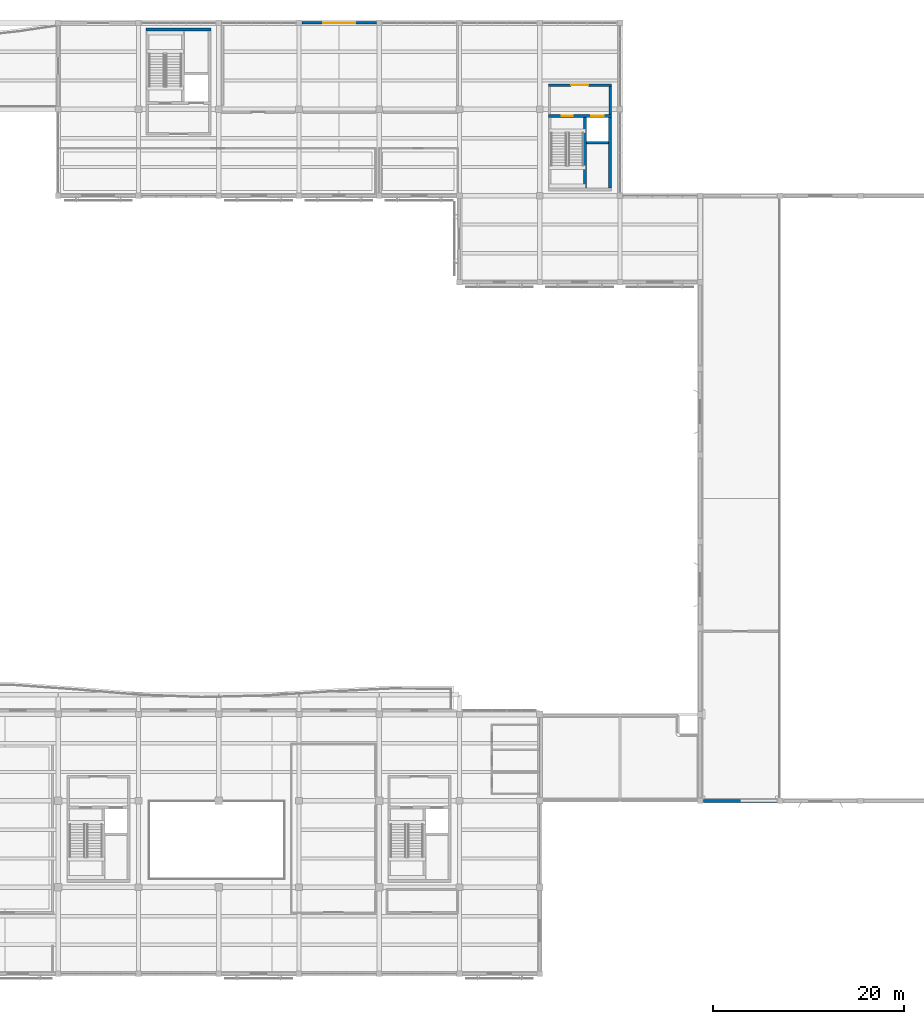
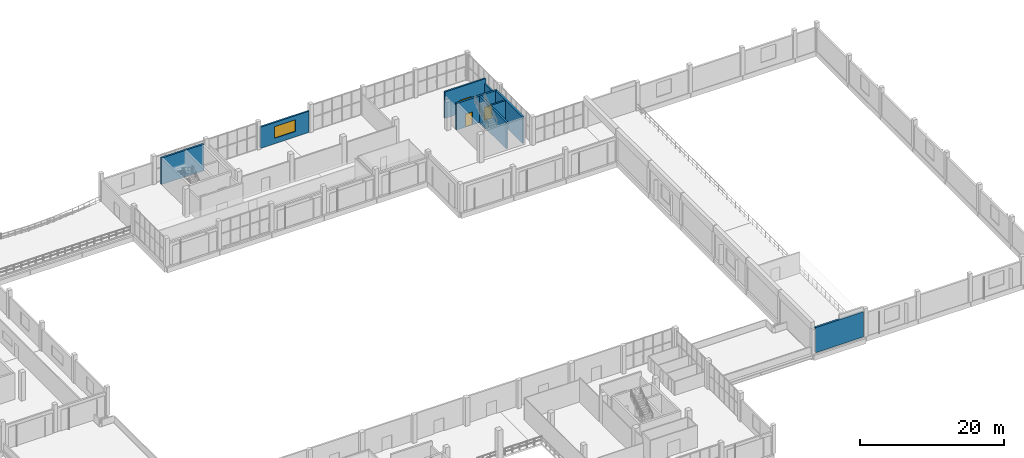
# One storey, part 61 of 80: 9 walls, 3 doors, 1 window, 4 openings.
"""IFC4 building model written with IfcOpenShell, lengths in metres."""

from ifc_helpers import new_model, si_unit, direction, frame, frame_2d, origin, place, context, subcontext, project, spatial, rectangle, extrude, material, layer, layer_set, type_object, element, fill, save


model = new_model("IFC4")

# Units and contexts
model_context = context("Model", 3, precision=1e-05, world=origin(), true_north=direction((0.0, 1.0)))
body_context = subcontext(model_context, "Body", "Model", "MODEL_VIEW")
ifc_project = project(units=[si_unit("LENGTHUNIT", "METRE"), si_unit("AREAUNIT", "SQUARE_METRE"), si_unit("VOLUMEUNIT", "CUBIC_METRE"), si_unit("PLANEANGLEUNIT", "RADIAN"), si_unit("MASSUNIT", "GRAM", prefix="KILO")], contexts=[model_context])

# Site, building, storey
site_placement = place(None, origin())
site = spatial("IfcSite", under=ifc_project, at=site_placement, CompositionType="ELEMENT")
building_placement = place(site_placement, origin())
building = spatial("IfcBuilding", under=site, at=building_placement, Name="Khurvash Pelagic Aquarium", CompositionType="ELEMENT")
storey_placement = place(building_placement, frame((0.0, 0.0, 10.800048828125)))
storey = spatial("IfcBuildingStorey", under=building, at=storey_placement, Name="L02", CompositionType="ELEMENT", Elevation=10.800048828125)

# Wall, opening, window
ifc_material_1 = material(Name="Glass-fibre reinforced concrete C40/50", Category="concrete")
ifc_layer_1 = layer(ifc_material_1, 0.260009765625)
ifc_layer_set_1 = layer_set([ifc_layer_1], Name="Glass-fibre reinforced concrete C40/50")
wall_type_1 = type_object("IfcWallType", Name="EW-260", PredefinedType="STANDARD", material=ifc_layer_set_1)
wall_1_placement = place(storey_placement, frame((92.094970703125, 102.14990234375, 0.0), z_axis=(0.0, 0.0, 1.0), x_axis=(-1.0, 0.0, 0.0)))
wall_1 = element("IfcWall", 1, at=wall_1_placement, inside=storey, type_object=wall_type_1, Name="L02 Exterior Architectural Facade Wall EW-260 0080", PredefinedType="STANDARD", context=body_context, shape_type="SweptSolid", body=[
    extrude(rectangle(XDim=7.7900390625, YDim=0.260009765625, at=frame_2d((3.89501953125, 0.0))), origin(), (0.0, 0.0, 1.0), 3.6298828125),
])
opening_1_placement = place(wall_1_placement, frame((2.215087890625, 0.0, 0.949951171875)))
opening_1 = element("IfcOpeningElement", 2, at=opening_1_placement, cuts=wall_1, Name="Opening WN-42", PredefinedType="OPENING", context=body_context, shape_type="SweptSolid", body=[
    extrude(rectangle(XDim=3.360107421875, YDim=1.9599609375, at=frame_2d((1.68017578125, 0.97998046875))), frame((0.0, 0.14013671875, 0.0), z_axis=(0.0, -1.0, 0.0), x_axis=(1.0, 0.0, 0.0)), (0.0, 0.0, 1.0), 0.280029296875),
])
ifc_material_2 = material(Name="Thermally broken aluminium and low-E glass", Category="aluminium")
window_type = type_object("IfcWindowType", Name="WN-42", PartitioningType="SINGLE_PANEL", PredefinedType="WINDOW", material=ifc_material_2)
window_placement = place(opening_1_placement, origin())
window = element("IfcWindow", 3, at=window_placement, inside=storey, type_object=window_type, Name="L02 Facade Window WN-42 0043", OverallHeight=1.9599609375, OverallWidth=3.360107421875, PartitioningType="SINGLE_PANEL", PredefinedType="WINDOW", context=body_context, shape_type="SweptSolid", body=[
    extrude(rectangle(XDim=3.360107421875, YDim=1.9599609375, at=frame_2d((1.68017578125, 0.97998046875))), frame((0.0, 0.030029296875, 0.0), z_axis=(0.0, -1.0, 0.0), x_axis=(1.0, 0.0, 0.0)), (0.0, 0.0, 1.0), 0.06005859375),
])
fill(opening_1, window)

# Wall
ifc_material_3 = material(Name="Precast concrete C40/50", Category="concrete")
ifc_layer_2 = layer(ifc_material_3, 0.300048828125)
ifc_layer_set_2 = layer_set([ifc_layer_2], Name="Precast concrete C40/50")
wall_type_2 = type_object("IfcWallType", Name="EW-300", PredefinedType="STANDARD", material=ifc_layer_set_2)
wall_2_placement = place(storey_placement, frame((126.360107421875, 20.699951171875, 0.0), z_axis=(0.0, 0.0, 1.0), x_axis=(1.0, 0.0, 0.0)))
element("IfcWall", 4, at=wall_2_placement, inside=storey, type_object=wall_type_2, Name="L02 Ocean Tank Hall South Containment Wall EW-300 B1.1", PredefinedType="STANDARD", context=body_context, shape_type="SweptSolid", body=[
    extrude(rectangle(XDim=7.679931640625, YDim=0.300048828125, at=frame_2d((3.83984375, 0.0))), origin(), (0.0, 0.0, 1.0), 4.27001953125),
])

# Wall, opening, door
ifc_material_4 = material(Name="AAC blockwork", Category="masonry")
ifc_layer_3 = layer(ifc_material_4, 0.25)
ifc_layer_set_3 = layer_set([ifc_layer_3], Name="AAC blockwork")
wall_type_3 = type_object("IfcWallType", Name="PW-250", PredefinedType="PARTITIONING", material=ifc_layer_set_3)
wall_3_placement = place(storey_placement, frame((110.10009765625, 95.625, 0.0), z_axis=(0.0, 0.0, 1.0), x_axis=(1.0, 0.0, 0.0)))
wall_3 = element("IfcWall", 5, at=wall_3_placement, inside=storey, type_object=wall_type_3, Name="L02 Core C6 Lobby Front Fire Wall PW-250", PredefinedType="PARTITIONING", context=body_context, shape_type="SweptSolid", body=[
    extrude(rectangle(XDim=6.599853515625, YDim=0.25, at=frame_2d((3.2998046875, 0.0))), origin(), (0.0, 0.0, 1.0), 4.5),
])
opening_2_placement = place(wall_3_placement, frame((2.39990234375, 0.0, 0.0)))
opening_2 = element("IfcOpeningElement", 6, at=opening_2_placement, cuts=wall_3, Name="Opening FD-02", PredefinedType="OPENING", context=body_context, shape_type="SweptSolid", body=[
    extrude(rectangle(XDim=1.800048828125, YDim=2.25, at=frame_2d((0.89990234375, 1.125))), frame((0.0, 0.135009765625, 0.0), z_axis=(0.0, -1.0, 0.0), x_axis=(1.0, 0.0, 0.0)), (0.0, 0.0, 1.0), 0.27001953125),
])
ifc_material_5 = material(Name="Galvanised steel double fire door", Category="steel")
door_type_1 = type_object("IfcDoorType", Name="FD-02", OperationType="DOUBLE_DOOR_SINGLE_SWING", PredefinedType="DOOR", material=ifc_material_5)
door_1_placement = place(opening_2_placement, origin())
door_1 = element("IfcDoor", 7, at=door_1_placement, inside=storey, type_object=door_type_1, Name="DR-0171", OperationType="DOUBLE_DOOR_SINGLE_SWING", OverallHeight=2.25, OverallWidth=1.800048828125, PredefinedType="DOOR", context=body_context, shape_type="SweptSolid", body=[
    extrude(rectangle(XDim=1.800048828125, YDim=2.25, at=frame_2d((0.89990234375, 1.125))), frame((0.0, 0.02490234375, 0.0), z_axis=(0.0, -1.0, 0.0), x_axis=(1.0, 0.0, 0.0)), (0.0, 0.0, 1.0), 0.050048828125),
])
fill(opening_2, door_1)

# Walls
wall_4_placement = place(storey_placement, frame((116.574951171875, 92.550048828125, 0.0), z_axis=(0.0, 0.0, 1.0), x_axis=(0.0, 1.0, 0.0)))
element("IfcWall", 8, at=wall_4_placement, inside=storey, type_object=wall_type_3, Name="L02 Core C6 Lobby East Fire Wall PW-250", PredefinedType="PARTITIONING", context=body_context, shape_type="SweptSolid", body=[
    extrude(rectangle(XDim=2.949951171875, YDim=0.25, at=frame_2d((1.47509765625, 0.0))), origin(), (0.0, 0.0, 1.0), 3.72998046875),
])
ifc_material_6 = material(Name="Concrete C40/50", Category="concrete")
ifc_layer_4 = layer(ifc_material_6, 0.27490234375)
ifc_layer_set_4 = layer_set([ifc_layer_4], Name="Concrete C40/50")
wall_type_4 = type_object("IfcWallType", Name="SW-275", PredefinedType="SHEAR", material=ifc_layer_set_4)
wall_5_placement = place(storey_placement, frame((114.10009765625, 89.612060546875, 0.0), z_axis=(0.0, 0.0, 1.0), x_axis=(1.0, 0.0, 0.0)))
element("IfcWall", 9, at=wall_5_placement, inside=storey, type_object=wall_type_4, Name="L02 Lift PL-03 Shaft Rear Shear Wall SW-275", PredefinedType="SHEAR", context=body_context, shape_type="SweptSolid", body=[
    extrude(rectangle(XDim=2.2998046875, YDim=0.27490234375, at=frame_2d((1.14990234375, 0.0))), origin(), (0.0, 0.0, 1.0), 4.5),
])
ifc_layer_5 = layer(ifc_material_6, 0.300048828125)
ifc_layer_set_5 = layer_set([ifc_layer_5], Name="Concrete C40/50")
wall_type_5 = type_object("IfcWallType", Name="SW-300", PredefinedType="SHEAR", material=ifc_layer_set_5)
wall_6_placement = place(storey_placement, frame((68.0, 101.449951171875, 0.0), z_axis=(0.0, 0.0, 1.0), x_axis=(1.0, 0.0, 0.0)))
element("IfcWall", 10, at=wall_6_placement, inside=storey, type_object=wall_type_5, Name="L02 Core C4 North Shear Wall SW-300", PredefinedType="SHEAR", context=body_context, shape_type="SweptSolid", body=[
    extrude(rectangle(XDim=6.800048828125, YDim=0.300048828125, at=frame_2d((3.39990234375, 0.0))), origin(), (0.0, 0.0, 1.0), 4.5),
])

# Wall, openings, doors
wall_7_placement = place(storey_placement, frame((110.10009765625, 92.39990234375, 0.0), z_axis=(0.0, 0.0, 1.0), x_axis=(1.0, 0.0, 0.0)))
wall_7 = element("IfcWall", 11, at=wall_7_placement, inside=storey, type_object=wall_type_5, Name="L02 Core C6 North Shear Wall SW-300", PredefinedType="SHEAR", context=body_context, shape_type="SweptSolid", body=[
    extrude(rectangle(XDim=6.599853515625, YDim=0.300048828125, at=frame_2d((3.2998046875, 0.0))), origin(), (0.0, 0.0, 1.0), 4.5),
])
opening_3_placement = place(wall_7_placement, frame((1.425048828125, 0.0, 0.0)))
opening_3 = element("IfcOpeningElement", 12, at=opening_3_placement, cuts=wall_7, Name="Opening FD-01", PredefinedType="OPENING", context=body_context, shape_type="SweptSolid", body=[
    extrude(rectangle(XDim=1.14990234375, YDim=2.199951171875, at=frame_2d((0.574951171875, 1.10009765625))), frame((0.0, 0.16015625, 0.0), z_axis=(0.0, -1.0, 0.0), x_axis=(1.0, 0.0, 0.0)), (0.0, 0.0, 1.0), 0.320068359375),
])
opening_4_placement = place(wall_7_placement, frame((4.5, 0.0, 0.0)))
opening_4 = element("IfcOpeningElement", 13, at=opening_4_placement, cuts=wall_7, Name="Opening LD-02", PredefinedType="OPENING", context=body_context, shape_type="SweptSolid", body=[
    extrude(rectangle(XDim=1.300048828125, YDim=2.199951171875, at=frame_2d((0.64990234375, 1.10009765625))), frame((0.0, 0.16015625, 0.0), z_axis=(0.0, -1.0, 0.0), x_axis=(1.0, 0.0, 0.0)), (0.0, 0.0, 1.0), 0.320068359375),
])
ifc_material_7 = material(Name="Galvanised steel fire door", Category="steel")
door_type_2 = type_object("IfcDoorType", Name="FD-01", OperationType="NOTDEFINED", PredefinedType="DOOR", material=ifc_material_7)
door_2_placement = place(opening_3_placement, frame((1.14990234375, 0.0, 0.0), z_axis=(0.0, 0.0, 1.0), x_axis=(-1.0, 0.0, 0.0)))
door_2 = element("IfcDoor", 14, at=door_2_placement, inside=storey, type_object=door_type_2, Name="DR-0137", OperationType="SINGLE_SWING_LEFT", OverallHeight=2.199951171875, OverallWidth=1.14990234375, PredefinedType="DOOR", context=body_context, shape_type="SweptSolid", body=[
    extrude(rectangle(XDim=1.14990234375, YDim=2.199951171875, at=frame_2d((0.574951171875, 1.10009765625))), frame((0.0, 0.02490234375, 0.0), z_axis=(0.0, -1.0, 0.0), x_axis=(1.0, 0.0, 0.0)), (0.0, 0.0, 1.0), 0.050048828125),
])
fill(opening_3, door_2)
ifc_material_8 = material(Name="Brushed stainless steel 316 lift landing door", Category="steel")
door_type_3 = type_object("IfcDoorType", Name="LD-02", OperationType="DOUBLE_DOOR_SLIDING", PredefinedType="DOOR", material=ifc_material_8)
door_3_placement = place(opening_4_placement, origin())
door_3 = element("IfcDoor", 15, at=door_3_placement, inside=storey, type_object=door_type_3, Name="DR-0143", OperationType="DOUBLE_DOOR_SLIDING", OverallHeight=2.199951171875, OverallWidth=1.300048828125, PredefinedType="DOOR", context=body_context, shape_type="SweptSolid", body=[
    extrude(rectangle(XDim=1.300048828125, YDim=2.199951171875, at=frame_2d((0.64990234375, 1.10009765625))), frame((0.0, 0.02490234375, 0.0), z_axis=(0.0, -1.0, 0.0), x_axis=(1.0, 0.0, 0.0)), (0.0, 0.0, 1.0), 0.050048828125),
])
fill(opening_4, door_3)

# Walls
for number, where, z_axis, x_axis, name in (
    (16, (116.550048828125, 84.85009765625, 0.0), (0.0, 0.0, 1.0), (0.0, 1.0, 0.0), "L02 Core C6 East Shear Wall SW-300"),
    (17, (113.949951171875, 84.85009765625, 0.0), (0.0, 0.0, 1.0), (0.0, 1.0, 0.0), "L02 Core C6 Divider Shear Wall SW-300"),
):
    element("IfcWall", number, at=place(storey_placement, frame(where, z_axis=z_axis, x_axis=x_axis)), inside=storey, type_object=wall_type_5, Name=name, PredefinedType="SHEAR", context=body_context, shape_type="SweptSolid", body=[
        extrude(rectangle(XDim=7.39990234375, YDim=0.300048828125, at=frame_2d((3.699951171875, 0.0))), origin(), (0.0, 0.0, 1.0), 4.5),
    ])

save(model, "model.ifc")
